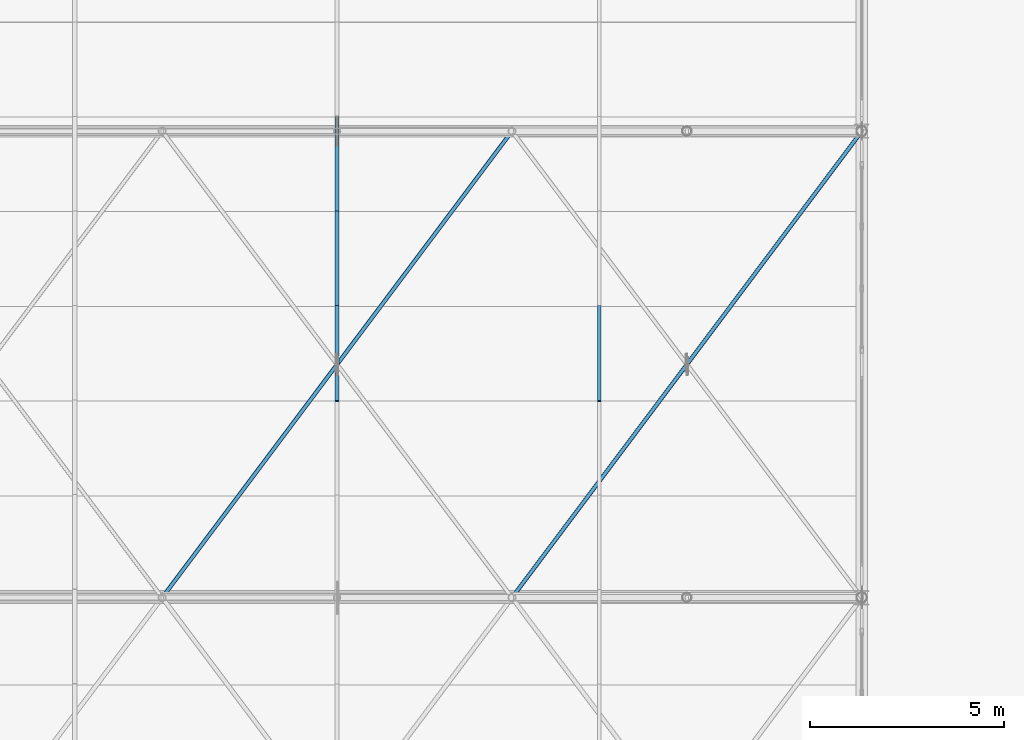
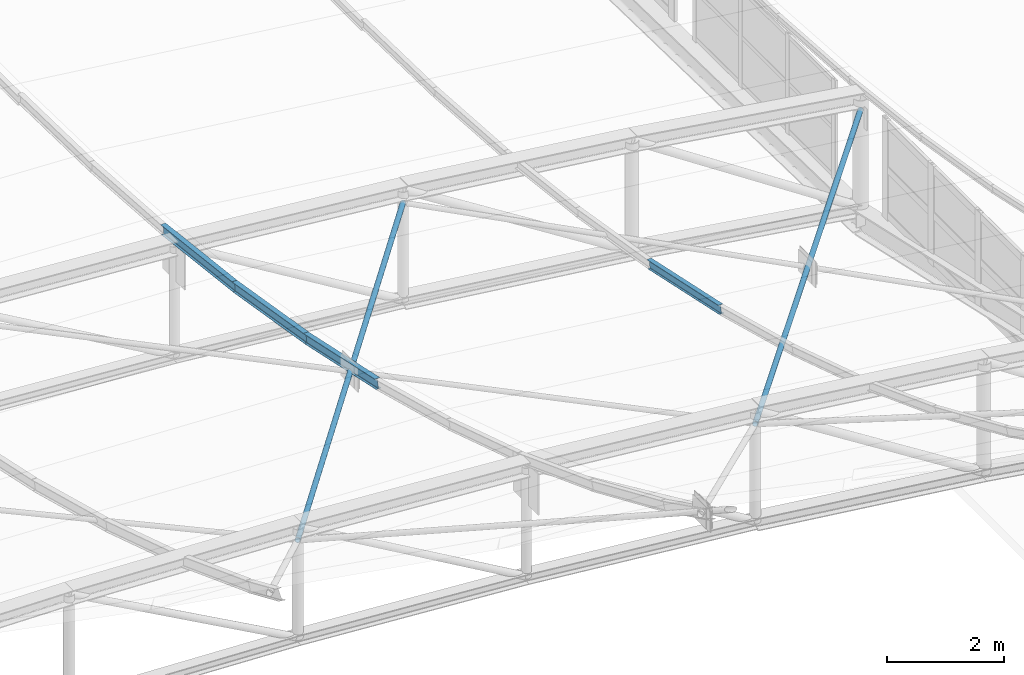
# One storey, part 91 of 262: 6 members.
"""IFC4 building model written with IfcOpenShell, lengths in metres."""

from ifc_helpers import new_model, si_unit, derived_unit, direction, frame, origin, origin_2d, place, context, subcontext, project, spatial, hollow_circle, i_section, extrude, material, material_profile, profile_set, type_object, element, save


model = new_model("IFC4")

# Units and contexts
model_context = context("Model", 3, precision=1e-05, world=origin(), true_north=direction((0.0, 1.0)))
body_context = subcontext(model_context, "Body", "Model", "MODEL_VIEW")
ifc_project = project(units=[si_unit("LENGTHUNIT", "METRE"), si_unit("AREAUNIT", "SQUARE_METRE"), si_unit("VOLUMEUNIT", "CUBIC_METRE"), si_unit("PLANEANGLEUNIT", "RADIAN"), si_unit("MASSUNIT", "GRAM", prefix="KILO"), derived_unit("THERMALTRANSMITTANCEUNIT", [(si_unit("POWERUNIT", "WATT"), 1), (si_unit("LENGTHUNIT", "METRE"), -2), (si_unit("THERMODYNAMICTEMPERATUREUNIT", "KELVIN"), -1)])], contexts=[model_context])

# Site, building, storey
site_placement = place(None, origin())
site = spatial("IfcSite", under=ifc_project, at=site_placement, CompositionType="ELEMENT")
building_placement = place(site_placement, origin())
building = spatial("IfcBuilding", under=site, at=building_placement, Name="Almenara Railside Exhibition Hall", CompositionType="ELEMENT")
storey_placement = place(building_placement, frame((0.0, 0.0, 21.699951171875)))
storey = spatial("IfcBuildingStorey", under=building, at=storey_placement, Name="RF", CompositionType="ELEMENT", Elevation=21.699951171875)

# Members
ifc_material = material(Name="Structural steel S355JR", Category="steel")
ifc_material_profile_1 = material_profile(ifc_material, i_section(OverallWidth=0.091064453125, OverallDepth=0.179931640625, WebThickness=0.00537109375, FlangeThickness=0.008056640625, FilletRadius=0.009033203125, at=origin_2d()), Name="IPE 180")
ifc_profile_set_1 = profile_set([ifc_material_profile_1], Name="Structural steel S355JR")
member_type_1 = type_object("IfcMemberType", Name="Plenary Roof Purlin IPE 180 S355JR", PredefinedType="PURLIN", material=ifc_profile_set_1)
member_1_placement = place(storey_placement, frame((59.25, 65.056884765625, 2.3125), z_axis=(0.0, 0.977496103583, -0.210953472309), x_axis=(-1.0, 0.0, 0.0)))
element("IfcMember", 1, at=member_1_placement, inside=storey, type_object=member_type_1, Name="MEM-PR-V1-PR-IPE180-07-07", PredefinedType="PURLIN", context=body_context, shape_type="SweptSolid", body=[
    extrude(i_section(OverallWidth=0.091064453125, OverallDepth=0.179931640625, WebThickness=0.00537109375, FlangeThickness=0.008056640625, FilletRadius=0.009033203125, at=origin_2d()), origin(), (0.0, 0.0, 1.0), 2.492919921875),
])
ifc_material_profile_2 = material_profile(ifc_material, hollow_circle(Radius=0.05078125, WallThickness=0.00390625, at=origin_2d()), Name="CHS 101.6x4")
ifc_profile_set_2 = profile_set([ifc_material_profile_2], Name="Structural steel S355JR")
member_type_2 = type_object("IfcMemberType", Name="Scroll Wind Plan Brace CHS 101.6x4 S355JR", PredefinedType="BRACE", material=ifc_profile_set_2)
member_2_placement = place(storey_placement, frame((48.0, 60.0, 4.516845703125), z_axis=(0.585072790506, 0.780097054008, -0.221671865913), x_axis=(-0.8, 0.6, 0.0)))
element("IfcMember", 2, at=member_2_placement, inside=storey, type_object=member_type_2, Name="MEM-WB-V1-WB-CHS102-01-08-C", PredefinedType="BRACE", context=body_context, shape_type="SweptSolid", body=[
    extrude(hollow_circle(Radius=0.05078125, WallThickness=0.00390625, at=origin_2d()), origin(), (0.0, 0.0, 1.0), 15.3828125),
])
member_3_placement = place(storey_placement, frame((57.0, 60.0, 3.783447265625), z_axis=(0.58070593189, 0.774274575853, -0.251554172807), x_axis=(-0.8, 0.6, 0.0)))
element("IfcMember", 3, at=member_3_placement, inside=storey, type_object=member_type_2, Name="MEM-WB-V1-WB-CHS102-01-10-C", PredefinedType="BRACE", context=body_context, shape_type="SweptSolid", body=[
    extrude(hollow_circle(Radius=0.05078125, WallThickness=0.00390625, at=origin_2d()), origin(), (0.0, 0.0, 1.0), 15.498291015625),
])
ifc_material_profile_3 = material_profile(ifc_material, i_section(OverallWidth=0.10009765625, OverallDepth=0.199951171875, WebThickness=0.005615234375, FlangeThickness=0.008544921875, FilletRadius=0.011962890625, at=origin_2d()), Name="IPE 200")
ifc_profile_set_3 = profile_set([ifc_material_profile_3], Name="Structural steel S355JR")
member_type_3 = type_object("IfcMemberType", Name="Standard Hall Roof Purlin IPE 200 S355JR", PredefinedType="PURLIN", material=ifc_profile_set_3)
member_4_placement = place(storey_placement, frame((52.5, 65.056884765625, 3.129150390625), z_axis=(0.0, 0.977496103583, -0.210953472309), x_axis=(-1.0, 0.0, 0.0)))
element("IfcMember", 4, at=member_4_placement, inside=storey, type_object=member_type_3, Name="MEM-PR-V1-PR-IPE200-06-07", PredefinedType="PURLIN", context=body_context, shape_type="SweptSolid", body=[
    extrude(i_section(OverallWidth=0.10009765625, OverallDepth=0.199951171875, WebThickness=0.005615234375, FlangeThickness=0.008544921875, FilletRadius=0.011962890625, at=origin_2d()), origin(), (0.0, 0.0, 1.0), 2.492919921875),
])
member_5_placement = place(storey_placement, frame((52.5, 67.49365234375, 2.606201171875), z_axis=(0.0, 0.986449960692, -0.164062412058), x_axis=(-1.0, 0.0, 0.0)))
element("IfcMember", 5, at=member_5_placement, inside=storey, type_object=member_type_3, Name="MEM-PR-V1-PR-IPE200-06-08", PredefinedType="PURLIN", context=body_context, shape_type="SweptSolid", body=[
    extrude(i_section(OverallWidth=0.10009765625, OverallDepth=0.199951171875, WebThickness=0.005615234375, FlangeThickness=0.008544921875, FilletRadius=0.011962890625, at=origin_2d()), origin(), (0.0, 0.0, 1.0), 2.47021484375),
])
member_6_placement = place(storey_placement, frame((52.5, 69.930419921875, 2.202880859375), z_axis=(0.0, 0.993105700961, -0.117222296166), x_axis=(-1.0, 0.0, 0.0)))
element("IfcMember", 6, at=member_6_placement, inside=storey, type_object=member_type_3, Name="MEM-PR-V1-PR-IPE200-06-09", PredefinedType="PURLIN", context=body_context, shape_type="SweptSolid", body=[
    extrude(i_section(OverallWidth=0.10009765625, OverallDepth=0.199951171875, WebThickness=0.005615234375, FlangeThickness=0.008544921875, FilletRadius=0.011962890625, at=origin_2d()), origin(), (0.0, 0.0, 1.0), 2.453369140625),
])

save(model, "model.ifc")
